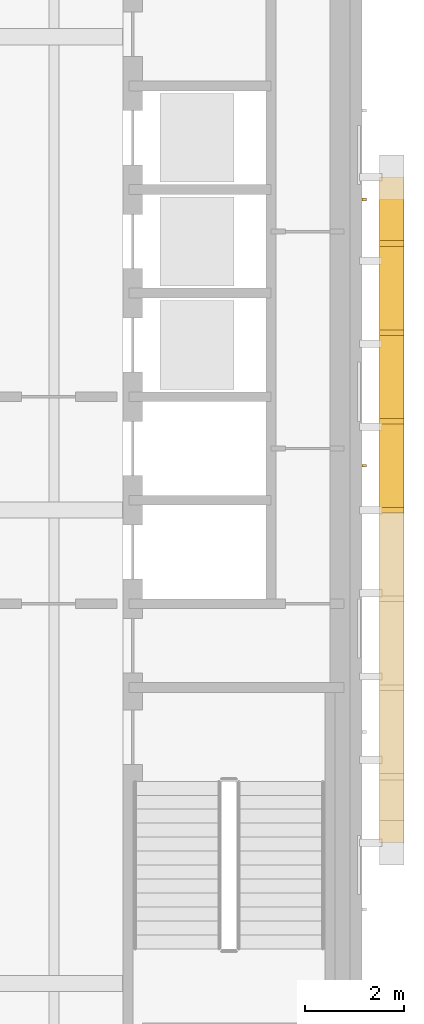
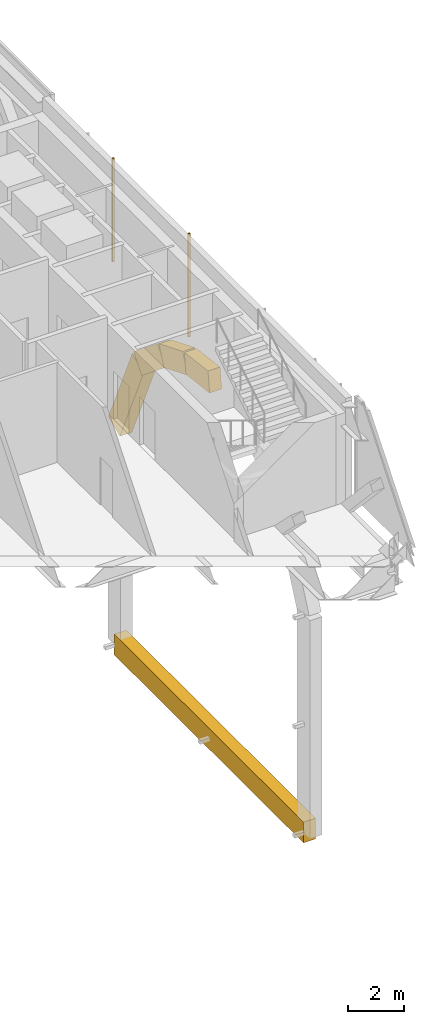
# One storey, part 23 of 26: 7 coverings.
"""IFC4 building model written with IfcOpenShell, lengths in metres."""

from ifc_helpers import new_model, si_unit, direction, frame, origin, origin_2d, place, context, subcontext, project, spatial, rectangle, extrude, material, material_profile, profile_set, type_object, element, save


model = new_model("IFC4")

# Units and contexts
model_context = context("Model", 3, precision=1e-05, world=origin(), true_north=direction((0.0, 1.0)))
body_context = subcontext(model_context, "Body", "Model", "MODEL_VIEW")
ifc_project = project(units=[si_unit("LENGTHUNIT", "METRE"), si_unit("AREAUNIT", "SQUARE_METRE"), si_unit("VOLUMEUNIT", "CUBIC_METRE"), si_unit("PLANEANGLEUNIT", "RADIAN"), si_unit("MASSUNIT", "GRAM", prefix="KILO")], contexts=[model_context])

# Site, building, storey
site_placement = place(None, origin())
site = spatial("IfcSite", under=ifc_project, at=site_placement, CompositionType="ELEMENT")
building_placement = place(site_placement, origin())
building = spatial("IfcBuilding", under=site, at=building_placement, Name="Cobrizo Arcos Hotel Tower", CompositionType="ELEMENT")
storey_placement = place(building_placement, frame((0.0, 0.0, 236.5)))
storey = spatial("IfcBuildingStorey", under=building, at=storey_placement, Name="L62", CompositionType="ELEMENT", Elevation=236.5)

# Coverings
ifc_material = material(Name="Aluminium 6063-T6 anodised pale", Category="aluminium")
ifc_material_profile = material_profile(ifc_material, rectangle(XDim=0.5, YDim=0.89990234375, at=origin_2d()), Name="AF-2 core arch rim 500x900")
ifc_profile_set = profile_set([ifc_material_profile], Name="Aluminium 6063-T6 anodised pale")
covering_type_1 = type_object("IfcCoveringType", Name="AF-2 core arch rim 500x900", PredefinedType="CLADDING", material=ifc_profile_set)
covering_1_placement = place(storey_placement, frame((21.25, 0.0, -1.5400390625), z_axis=(0.0, 0.992131403305, -0.125200952776), x_axis=(-1.0, 0.0, 0.0)))
element("IfcCovering", 1, at=covering_1_placement, inside=storey, type_object=covering_type_1, Name="Arch rim C E face", PredefinedType="CLADDING", context=body_context, shape_type="SweptSolid", body=[
    extrude(rectangle(XDim=0.5, YDim=0.89990234375, at=origin_2d()), origin(), (0.0, 0.0, 1.0), 1.700439453125),
])
covering_2_placement = place(storey_placement, frame((21.25, 1.68701171875, -1.7529296875), z_axis=(0.0, 0.926634507645, -0.375963414764), x_axis=(-1.0, 0.0, 0.0)))
element("IfcCovering", 2, at=covering_2_placement, inside=storey, type_object=covering_type_1, Name="Arch rim C E face", PredefinedType="CLADDING", context=body_context, shape_type="SweptSolid", body=[
    extrude(rectangle(XDim=0.5, YDim=0.89990234375, at=origin_2d()), origin(), (0.0, 0.0, 1.0), 1.82080078125),
])
covering_3_placement = place(storey_placement, frame((21.25, 3.374267578125, -2.4375), z_axis=(0.0, 0.777399424026, -0.6290072619), x_axis=(-1.0, 0.0, 0.0)))
element("IfcCovering", 3, at=covering_3_placement, inside=storey, type_object=covering_type_1, Name="Arch rim C E face", PredefinedType="CLADDING", context=body_context, shape_type="SweptSolid", body=[
    extrude(rectangle(XDim=0.5, YDim=0.89990234375, at=origin_2d()), origin(), (0.0, 0.0, 1.0), 2.170166015625),
])
covering_4_placement = place(storey_placement, frame((21.25, 5.061279296875, -3.802490234375), z_axis=(0.0, 0.409445476845, -0.912334588565), x_axis=(-1.0, 0.0, 0.0)))
element("IfcCovering", 4, at=covering_4_placement, inside=storey, type_object=covering_type_1, Name="Arch rim C E face", PredefinedType="CLADDING", context=body_context, shape_type="SweptSolid", body=[
    extrude(rectangle(XDim=0.5, YDim=0.89990234375, at=origin_2d()), origin(), (0.0, 0.0, 1.0), 4.1201171875),
])
covering_5_placement = place(storey_placement, frame((21.25, -6.748291015625, -17.050048828125), z_axis=(0.0, 1.0, 0.0), x_axis=(-1.0, 0.0, 0.0)))
element("IfcCovering", 5, at=covering_5_placement, inside=storey, type_object=covering_type_1, Name="Arch rim C E face", PredefinedType="CLADDING", context=body_context, shape_type="SweptSolid", body=[
    extrude(rectangle(XDim=0.5, YDim=0.89990234375, at=origin_2d()), origin(), (0.0, 0.0, 1.0), 13.49658203125),
])
covering_type_2 = type_object("IfcCoveringType", Name="RS-1 rainscreen rib 60x90", PredefinedType="CLADDING", material=ifc_material)
for number, where, z_axis, x_axis, name in (
    (6, (20.695068359375, 0.89990234375, 0.0), (0.0, 0.0, 1.0), (0.0, 1.0, 0.0), "Rainscreen rib 84"),
    (7, (20.695068359375, 6.300048828125, 0.0), (0.0, 0.0, 1.0), (0.0, 1.0, 0.0), "Rainscreen rib 85"),
):
    element("IfcCovering", number, at=place(storey_placement, frame(where, z_axis=z_axis, x_axis=x_axis)), inside=storey, type_object=covering_type_2, Name=name, PredefinedType="CLADDING", context=body_context, shape_type="SweptSolid", body=[
        extrude(rectangle(XDim=0.06005859375, YDim=0.090087890625, at=origin_2d()), origin(), (0.0, 0.0, 1.0), 4.5),
    ])

save(model, "model.ifc")
